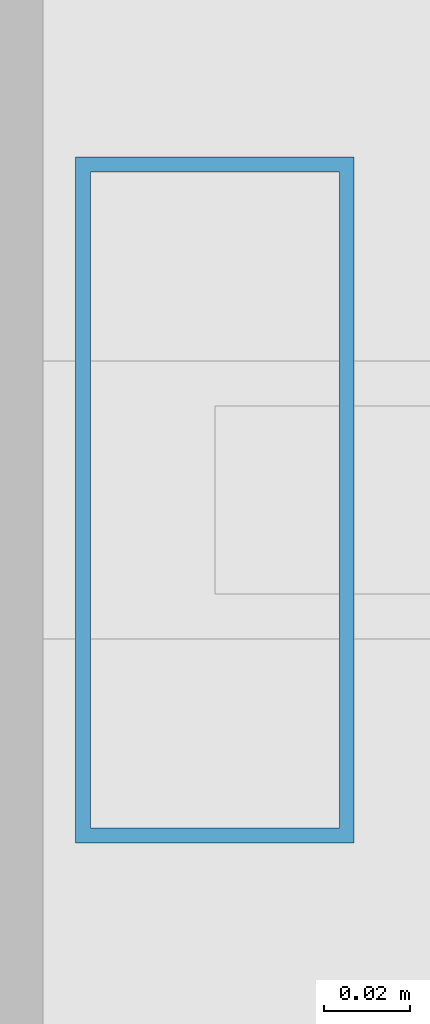
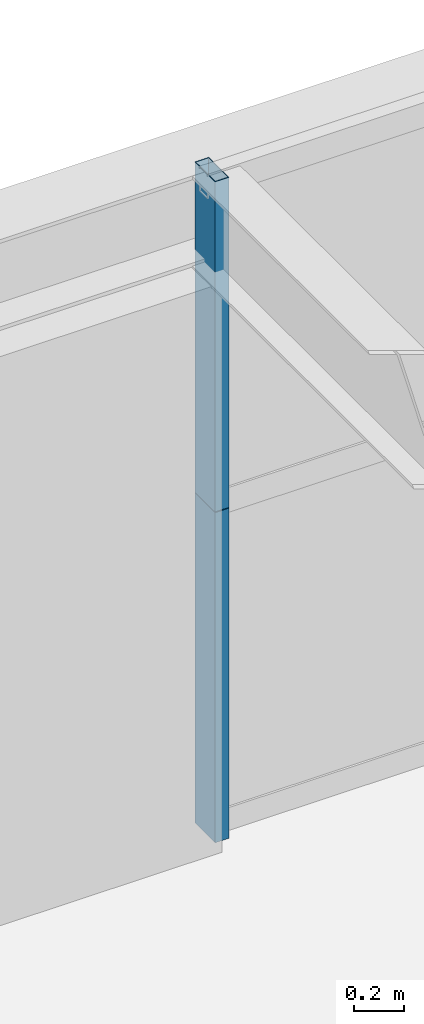
# One storey, part 23 of 36: 2 members, 1 element without a shape of its own.
"""IFC4 building model written with IfcOpenShell, lengths in metres."""

from ifc_helpers import new_model, si_unit, direction, frame, origin, origin_2d, place, context, subcontext, project, spatial, hollow_rectangle, extrude, source, transform, mapped, material, layer, layer_set, material_profile, profile_set, type_object, element, aggregate, save


model = new_model("IFC4")

# Units and contexts
model_context = context("Model", 3, precision=1e-05, world=origin(), true_north=direction((0.0, 1.0)))
body_context = subcontext(model_context, "Body", "Model", "MODEL_VIEW")
ifc_project = project(units=[si_unit("LENGTHUNIT", "METRE"), si_unit("AREAUNIT", "SQUARE_METRE"), si_unit("VOLUMEUNIT", "CUBIC_METRE"), si_unit("PLANEANGLEUNIT", "RADIAN"), si_unit("MASSUNIT", "GRAM", prefix="KILO"), si_unit("THERMODYNAMICTEMPERATUREUNIT", "KELVIN"), si_unit("POWERUNIT", "WATT")], contexts=[model_context])

# Site, building, storey
site_placement = place(None, origin())
site = spatial("IfcSite", under=ifc_project, at=site_placement, CompositionType="ELEMENT")
building_placement = place(site_placement, origin())
building = spatial("IfcBuilding", under=site, at=building_placement, Name="Yuzanri Waterfront Tower", CompositionType="ELEMENT")
storey_placement = place(building_placement, frame((0.0, 0.0, 255.60009765625)))
storey = spatial("IfcBuildingStorey", under=building, at=storey_placement, Name="L68", CompositionType="ELEMENT", Elevation=255.60009765625)

# Curtain wall, members
ifc_material_1 = material(Name="Anodized Architectural Bronze", Category="metal")
ifc_layer = layer(ifc_material_1, 0.159912109375)
ifc_layer_set = layer_set([ifc_layer], Name="Anodized Architectural Bronze")
curtain_wall_type = type_object("IfcCurtainWallType", Name="Anodized Bronze Mid-Rise Residential Acoustic Unitized Curtain Wall 7200", PredefinedType="NOTDEFINED", material=ifc_layer_set)
curtain_wall_placement = place(storey_placement, origin())
curtain_wall = element("IfcCurtainWall", 1, at=curtain_wall_placement, inside=storey, type_object=curtain_wall_type, Name="L68 Curtain Wall CW-L68-NL", PredefinedType="NOTDEFINED")
ifc_material_2 = material(Name="Anodized Architectural Bronze", Category="metal")
ifc_material_profile = material_profile(ifc_material_2, hollow_rectangle(XDim=0.06494140625, YDim=0.159912109375, WallThickness=0.00341796875, at=origin_2d()), Name="CWM 65x160")
ifc_profile_set = profile_set([ifc_material_profile], Name="Anodized Architectural Bronze")
member_type = type_object("IfcMemberType", Name="Anodized Bronze Upper-Zone Curtain-Wall Mullion 65x160", PredefinedType="MULLION", material=ifc_profile_set)
shared_shape_1 = source(origin(), body_context, "Body", "SweptSolid", [
    extrude(hollow_rectangle(XDim=0.06494140625, YDim=0.159912109375, WallThickness=0.00341796875, at=origin_2d()), origin(), (0.0, 0.0, 1.0), 1.597900390625),
])
member_1_placement = place(storey_placement, frame((23.7900390625, 46.25, 0.0), z_axis=(0.0, 0.0, 1.0), x_axis=(1.0, 0.0, 0.0)))
member_1 = element("IfcMember", 2, at=member_1_placement, type_object=member_type, Name="CW-L68-NL Lower Mullion 00", PredefinedType="MULLION", context=body_context, shape_type="MappedRepresentation", body=[
    mapped(shared_shape_1, transform((0.0, 0.0, 0.0), scale=1.0)),
])
shared_shape_2 = source(origin(), body_context, "Body", "SweptSolid", [
    extrude(hollow_rectangle(XDim=0.06494140625, YDim=0.159912109375, WallThickness=0.00341796875, at=origin_2d()), origin(), (0.0, 0.0, 1.0), 1.59814453125),
])
member_2_placement = place(storey_placement, frame((23.7900390625, 46.25, 1.601806640625), z_axis=(0.0, 0.0, 1.0), x_axis=(1.0, 0.0, 0.0)))
member_2 = element("IfcMember", 3, at=member_2_placement, type_object=member_type, Name="CW-L68-NL Upper Mullion 00", PredefinedType="MULLION", context=body_context, shape_type="MappedRepresentation", body=[
    mapped(shared_shape_2, transform((0.0, 0.0, 0.0), scale=1.0)),
])
aggregate(curtain_wall, [member_1, member_2])

save(model, "model.ifc")
